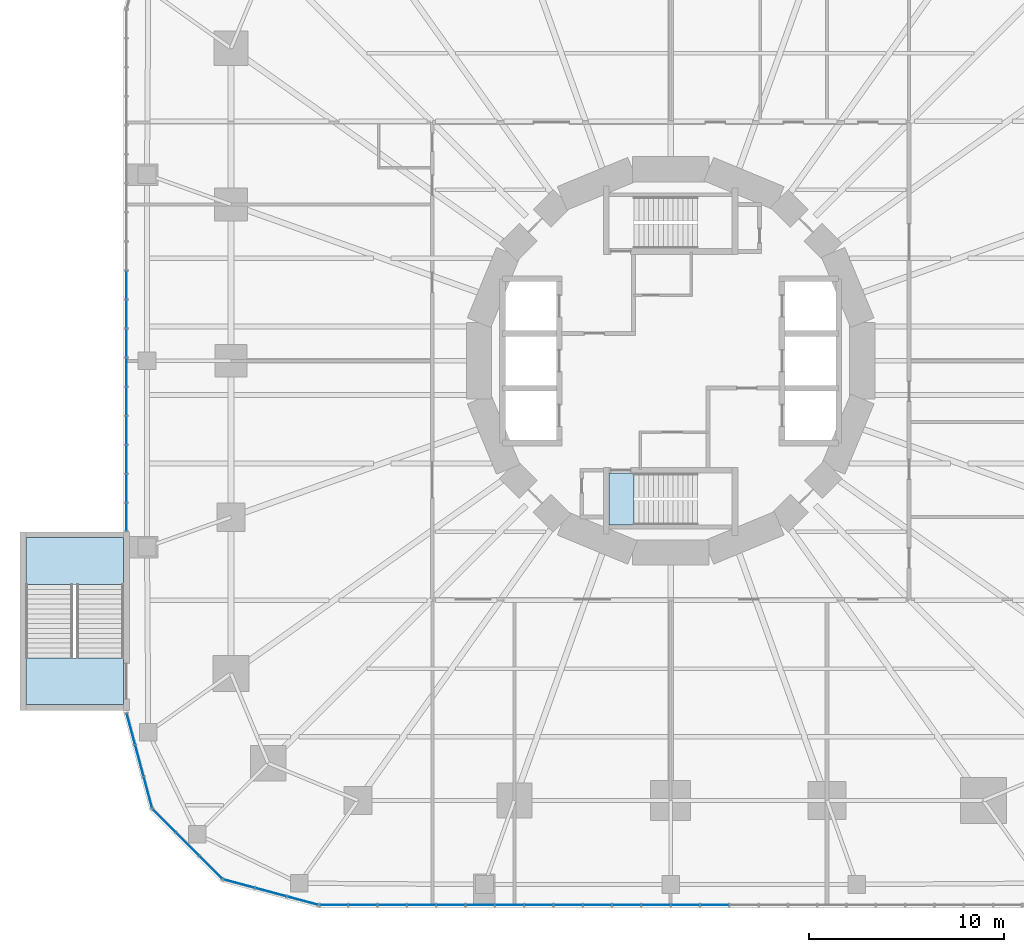
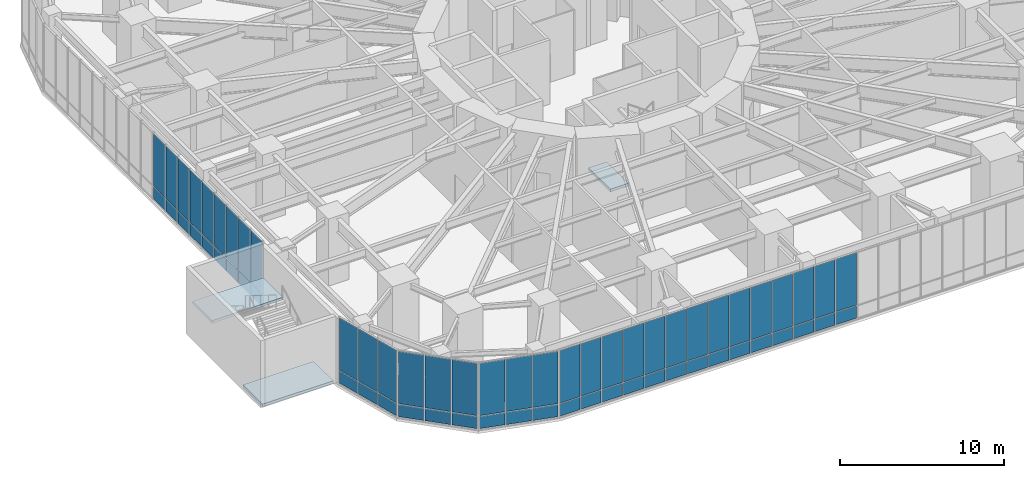
# One storey, part 16 of 24: 64 plates, 3 slabs, 7 elements without a shape of their own.
"""IFC4 building model written with IfcOpenShell, lengths in metres."""

from ifc_helpers import new_model, si_unit, direction, frame, origin, origin_2d, place, context, subcontext, project, spatial, polyline, rectangle, outline, extrude, material, layer, layer_set, type_object, element, aggregate, save


model = new_model("IFC4")

# Units and contexts
model_context = context("Model", 3, precision=1e-05, world=origin(), true_north=direction((0.0, 1.0)))
body_context = subcontext(model_context, "Body", "Model", "MODEL_VIEW")
ifc_project = project(units=[si_unit("LENGTHUNIT", "METRE"), si_unit("AREAUNIT", "SQUARE_METRE"), si_unit("VOLUMEUNIT", "CUBIC_METRE"), si_unit("PLANEANGLEUNIT", "RADIAN"), si_unit("MASSUNIT", "GRAM", prefix="KILO")], contexts=[model_context])

# Site, building, storey
site_placement = place(None, origin())
site = spatial("IfcSite", under=ifc_project, at=site_placement, CompositionType="ELEMENT")
building_placement = place(site_placement, origin())
building = spatial("IfcBuilding", under=site, at=building_placement, Name="Nakasero Lantern House", CompositionType="ELEMENT")
storey_placement = place(building_placement, frame((0.0, 0.0, 6.0)))
storey = spatial("IfcBuildingStorey", under=building, at=storey_placement, Name="L01", CompositionType="ELEMENT", Elevation=6.0)

# Curtain wall, plates
ifc_material_1 = material(Name="Aluminium 6063-T6 and glass", Category="aluminium")
curtain_wall_type = type_object("IfcCurtainWallType", Name="Podium curtain wall CW-2", PredefinedType="USERDEFINED", material=ifc_material_1)
curtain_wall_1_placement = place(storey_placement, origin())
curtain_wall_1 = element("IfcCurtainWall", 1, at=curtain_wall_1_placement, inside=storey, type_object=curtain_wall_type, Name="Curtain wall CW-2 L01", ObjectType="STICK CURTAIN WALL", PredefinedType="USERDEFINED")
ifc_material_2 = material(Name="Glass", Category="glass")
ifc_layer_1 = layer(ifc_material_2, 0.028076171875)
ifc_layer_set_1 = layer_set([ifc_layer_1], Name="Glazed panel CW-2")
plate_type = type_object("IfcPlateType", Name="Glazed panel CW-2", PredefinedType="CURTAIN_PANEL", material=ifc_layer_set_1)
plate_1_placement = place(storey_placement, frame((-27.85009765625, 3.8818359375, 0.06005859375), z_axis=(0.0, 0.0, 1.0), x_axis=(0.0, -1.0, 0.0)))
plate_1 = element("IfcPlate", 2, at=plate_1_placement, type_object=plate_type, Name="CW-2 panel 10.1", PredefinedType="CURTAIN_PANEL", context=body_context, shape_type="SweptSolid", body=[
    extrude(rectangle(XDim=1.426025390625, YDim=0.028076171875, at=origin_2d()), origin(), (0.0, 0.0, 1.0), 0.909912109375),
])
plate_2_placement = place(storey_placement, frame((-27.85009765625, 3.8818359375, 1.0302734375), z_axis=(0.0, 0.0, 1.0), x_axis=(0.0, -1.0, 0.0)))
plate_2 = element("IfcPlate", 3, at=plate_2_placement, type_object=plate_type, Name="CW-2 panel 10.2", PredefinedType="CURTAIN_PANEL", context=body_context, shape_type="SweptSolid", body=[
    extrude(rectangle(XDim=1.426025390625, YDim=0.028076171875, at=origin_2d()), origin(), (0.0, 0.0, 1.0), 3.909912109375),
])
plate_3_placement = place(storey_placement, frame((-27.85009765625, 2.395751953125, 0.06005859375), z_axis=(0.0, 0.0, 1.0), x_axis=(0.0, -1.0, 0.0)))
plate_3 = element("IfcPlate", 4, at=plate_3_placement, type_object=plate_type, Name="CW-2 panel 11.1", PredefinedType="CURTAIN_PANEL", context=body_context, shape_type="SweptSolid", body=[
    extrude(rectangle(XDim=1.426025390625, YDim=0.028076171875, at=origin_2d()), origin(), (0.0, 0.0, 1.0), 0.909912109375),
])
plate_4_placement = place(storey_placement, frame((-27.85009765625, 2.395751953125, 1.0302734375), z_axis=(0.0, 0.0, 1.0), x_axis=(0.0, -1.0, 0.0)))
plate_4 = element("IfcPlate", 5, at=plate_4_placement, type_object=plate_type, Name="CW-2 panel 11.2", PredefinedType="CURTAIN_PANEL", context=body_context, shape_type="SweptSolid", body=[
    extrude(rectangle(XDim=1.426025390625, YDim=0.028076171875, at=origin_2d()), origin(), (0.0, 0.0, 1.0), 3.909912109375),
])
plate_5_placement = place(storey_placement, frame((-27.85009765625, 0.90966796875, 0.06005859375), z_axis=(0.0, 0.0, 1.0), x_axis=(0.0, -1.0, 0.0)))
plate_5 = element("IfcPlate", 6, at=plate_5_placement, type_object=plate_type, Name="CW-2 panel 12.1", PredefinedType="CURTAIN_PANEL", context=body_context, shape_type="SweptSolid", body=[
    extrude(rectangle(XDim=1.426025390625, YDim=0.028076171875, at=origin_2d()), origin(), (0.0, 0.0, 1.0), 0.909912109375),
])
plate_6_placement = place(storey_placement, frame((-27.85009765625, 0.90966796875, 1.0302734375), z_axis=(0.0, 0.0, 1.0), x_axis=(0.0, -1.0, 0.0)))
plate_6 = element("IfcPlate", 7, at=plate_6_placement, type_object=plate_type, Name="CW-2 panel 12.2", PredefinedType="CURTAIN_PANEL", context=body_context, shape_type="SweptSolid", body=[
    extrude(rectangle(XDim=1.426025390625, YDim=0.028076171875, at=origin_2d()), origin(), (0.0, 0.0, 1.0), 3.909912109375),
])
plate_7_placement = place(storey_placement, frame((-27.85009765625, -0.576416015625, 0.06005859375), z_axis=(0.0, 0.0, 1.0), x_axis=(0.0, -1.0, 0.0)))
plate_7 = element("IfcPlate", 8, at=plate_7_placement, type_object=plate_type, Name="CW-2 panel 13.1", PredefinedType="CURTAIN_PANEL", context=body_context, shape_type="SweptSolid", body=[
    extrude(rectangle(XDim=1.426025390625, YDim=0.028076171875, at=origin_2d()), origin(), (0.0, 0.0, 1.0), 0.909912109375),
])
plate_8_placement = place(storey_placement, frame((-27.85009765625, -0.576416015625, 1.0302734375), z_axis=(0.0, 0.0, 1.0), x_axis=(0.0, -1.0, 0.0)))
plate_8 = element("IfcPlate", 9, at=plate_8_placement, type_object=plate_type, Name="CW-2 panel 13.2", PredefinedType="CURTAIN_PANEL", context=body_context, shape_type="SweptSolid", body=[
    extrude(rectangle(XDim=1.426025390625, YDim=0.028076171875, at=origin_2d()), origin(), (0.0, 0.0, 1.0), 3.909912109375),
])
plate_9_placement = place(storey_placement, frame((-27.85009765625, -2.0625, 0.06005859375), z_axis=(0.0, 0.0, 1.0), x_axis=(0.0, -1.0, 0.0)))
plate_9 = element("IfcPlate", 10, at=plate_9_placement, type_object=plate_type, Name="CW-2 panel 14.1", PredefinedType="CURTAIN_PANEL", context=body_context, shape_type="SweptSolid", body=[
    extrude(rectangle(XDim=1.426025390625, YDim=0.028076171875, at=origin_2d()), origin(), (0.0, 0.0, 1.0), 0.909912109375),
])
plate_10_placement = place(storey_placement, frame((-27.85009765625, -2.0625, 1.0302734375), z_axis=(0.0, 0.0, 1.0), x_axis=(0.0, -1.0, 0.0)))
plate_10 = element("IfcPlate", 11, at=plate_10_placement, type_object=plate_type, Name="CW-2 panel 14.2", PredefinedType="CURTAIN_PANEL", context=body_context, shape_type="SweptSolid", body=[
    extrude(rectangle(XDim=1.426025390625, YDim=0.028076171875, at=origin_2d()), origin(), (0.0, 0.0, 1.0), 3.909912109375),
])
plate_11_placement = place(storey_placement, frame((-27.85009765625, -3.548583984375, 0.06005859375), z_axis=(0.0, 0.0, 1.0), x_axis=(0.0, -1.0, 0.0)))
plate_11 = element("IfcPlate", 12, at=plate_11_placement, type_object=plate_type, Name="CW-2 panel 15.1", PredefinedType="CURTAIN_PANEL", context=body_context, shape_type="SweptSolid", body=[
    extrude(rectangle(XDim=1.426025390625, YDim=0.028076171875, at=origin_2d()), origin(), (0.0, 0.0, 1.0), 0.909912109375),
])
plate_12_placement = place(storey_placement, frame((-27.85009765625, -3.548583984375, 1.0302734375), z_axis=(0.0, 0.0, 1.0), x_axis=(0.0, -1.0, 0.0)))
plate_12 = element("IfcPlate", 13, at=plate_12_placement, type_object=plate_type, Name="CW-2 panel 15.2", PredefinedType="CURTAIN_PANEL", context=body_context, shape_type="SweptSolid", body=[
    extrude(rectangle(XDim=1.426025390625, YDim=0.028076171875, at=origin_2d()), origin(), (0.0, 0.0, 1.0), 3.909912109375),
])
plate_13_placement = place(storey_placement, frame((-27.85009765625, -5.03466796875, 0.06005859375), z_axis=(0.0, 0.0, 1.0), x_axis=(0.0, -1.0, 0.0)))
plate_13 = element("IfcPlate", 14, at=plate_13_placement, type_object=plate_type, Name="CW-2 panel 16.1", PredefinedType="CURTAIN_PANEL", context=body_context, shape_type="SweptSolid", body=[
    extrude(rectangle(XDim=1.426025390625, YDim=0.028076171875, at=origin_2d()), origin(), (0.0, 0.0, 1.0), 0.909912109375),
])
plate_14_placement = place(storey_placement, frame((-27.85009765625, -5.03466796875, 1.0302734375), z_axis=(0.0, 0.0, 1.0), x_axis=(0.0, -1.0, 0.0)))
plate_14 = element("IfcPlate", 15, at=plate_14_placement, type_object=plate_type, Name="CW-2 panel 16.2", PredefinedType="CURTAIN_PANEL", context=body_context, shape_type="SweptSolid", body=[
    extrude(rectangle(XDim=1.426025390625, YDim=0.028076171875, at=origin_2d()), origin(), (0.0, 0.0, 1.0), 3.909912109375),
])
plate_15_placement = place(storey_placement, frame((-27.85009765625, -6.520751953125, 0.06005859375), z_axis=(0.0, 0.0, 1.0), x_axis=(0.0, -1.0, 0.0)))
plate_15 = element("IfcPlate", 16, at=plate_15_placement, type_object=plate_type, Name="CW-2 panel 17.1", PredefinedType="CURTAIN_PANEL", context=body_context, shape_type="SweptSolid", body=[
    extrude(rectangle(XDim=1.426025390625, YDim=0.028076171875, at=origin_2d()), origin(), (0.0, 0.0, 1.0), 0.909912109375),
])
plate_16_placement = place(storey_placement, frame((-27.85009765625, -6.520751953125, 1.0302734375), z_axis=(0.0, 0.0, 1.0), x_axis=(0.0, -1.0, 0.0)))
plate_16 = element("IfcPlate", 17, at=plate_16_placement, type_object=plate_type, Name="CW-2 panel 17.2", PredefinedType="CURTAIN_PANEL", context=body_context, shape_type="SweptSolid", body=[
    extrude(rectangle(XDim=1.426025390625, YDim=0.028076171875, at=origin_2d()), origin(), (0.0, 0.0, 1.0), 3.909912109375),
])
plate_17_placement = place(storey_placement, frame((-27.85009765625, -7.991943359375, 0.06005859375), z_axis=(0.0, 0.0, 1.0), x_axis=(0.0, -1.0, 0.0)))
plate_17 = element("IfcPlate", 18, at=plate_17_placement, type_object=plate_type, Name="CW-2 panel 18.1", PredefinedType="CURTAIN_PANEL", context=body_context, shape_type="SweptSolid", body=[
    extrude(rectangle(XDim=1.39599609375, YDim=0.028076171875, at=origin_2d()), origin(), (0.0, 0.0, 1.0), 0.909912109375),
])
plate_18_placement = place(storey_placement, frame((-27.85009765625, -7.991943359375, 1.0302734375), z_axis=(0.0, 0.0, 1.0), x_axis=(0.0, -1.0, 0.0)))
plate_18 = element("IfcPlate", 19, at=plate_18_placement, type_object=plate_type, Name="CW-2 panel 18.2", PredefinedType="CURTAIN_PANEL", context=body_context, shape_type="SweptSolid", body=[
    extrude(rectangle(XDim=1.39599609375, YDim=0.028076171875, at=origin_2d()), origin(), (0.0, 0.0, 1.0), 3.909912109375),
])
aggregate(curtain_wall_1, [plate_1, plate_2, plate_3, plate_4, plate_5, plate_6, plate_7, plate_8, plate_9, plate_10, plate_11, plate_12, plate_13, plate_14, plate_15, plate_16, plate_17, plate_18])

curtain_wall_2_placement = place(storey_placement, origin())
curtain_wall_2 = element("IfcCurtainWall", 20, at=curtain_wall_2_placement, inside=storey, type_object=curtain_wall_type, Name="Curtain wall CW-2 L01", ObjectType="STICK CURTAIN WALL", PredefinedType="USERDEFINED")
plate_19_placement = place(storey_placement, frame((-27.626220703125, -18.835205078125, 0.06005859375), z_axis=(0.0, 0.0, 1.0), x_axis=(0.258819045153, -0.965925826276, 0.0)))
plate_19 = element("IfcPlate", 21, at=plate_19_placement, type_object=plate_type, Name="CW-2 panel 1.1", PredefinedType="CURTAIN_PANEL", context=body_context, shape_type="SweptSolid", body=[
    extrude(rectangle(XDim=1.609619140625, YDim=0.028076171875, at=origin_2d()), origin(), (0.0, 0.0, 1.0), 0.909912109375),
])
plate_20_placement = place(storey_placement, frame((-27.626220703125, -18.835205078125, 1.0302734375), z_axis=(0.0, 0.0, 1.0), x_axis=(0.258819045153, -0.965925826276, 0.0)))
plate_20 = element("IfcPlate", 22, at=plate_20_placement, type_object=plate_type, Name="CW-2 panel 1.2", PredefinedType="CURTAIN_PANEL", context=body_context, shape_type="SweptSolid", body=[
    extrude(rectangle(XDim=1.609619140625, YDim=0.028076171875, at=origin_2d()), origin(), (0.0, 0.0, 1.0), 3.909912109375),
])
plate_21_placement = place(storey_placement, frame((-27.190185546875, -20.46240234375, 0.06005859375), z_axis=(0.0, 0.0, 1.0), x_axis=(0.258819045153, -0.965925826276, 0.0)))
plate_21 = element("IfcPlate", 23, at=plate_21_placement, type_object=plate_type, Name="CW-2 panel 2.1", PredefinedType="CURTAIN_PANEL", context=body_context, shape_type="SweptSolid", body=[
    extrude(rectangle(XDim=1.6396484375, YDim=0.028076171875, at=origin_2d()), origin(), (0.0, 0.0, 1.0), 0.909912109375),
])
plate_22_placement = place(storey_placement, frame((-27.190185546875, -20.46240234375, 1.0302734375), z_axis=(0.0, 0.0, 1.0), x_axis=(0.258819045153, -0.965925826276, 0.0)))
plate_22 = element("IfcPlate", 24, at=plate_22_placement, type_object=plate_type, Name="CW-2 panel 2.2", PredefinedType="CURTAIN_PANEL", context=body_context, shape_type="SweptSolid", body=[
    extrude(rectangle(XDim=1.6396484375, YDim=0.028076171875, at=origin_2d()), origin(), (0.0, 0.0, 1.0), 3.909912109375),
])
plate_23_placement = place(storey_placement, frame((-26.754150390625, -22.089599609375, 0.06005859375), z_axis=(0.0, 0.0, 1.0), x_axis=(0.258819045153, -0.965925826276, 0.0)))
plate_23 = element("IfcPlate", 25, at=plate_23_placement, type_object=plate_type, Name="CW-2 panel 3.1", PredefinedType="CURTAIN_PANEL", context=body_context, shape_type="SweptSolid", body=[
    extrude(rectangle(XDim=1.609619140625, YDim=0.028076171875, at=origin_2d()), origin(), (0.0, 0.0, 1.0), 0.909912109375),
])
plate_24_placement = place(storey_placement, frame((-26.754150390625, -22.089599609375, 1.0302734375), z_axis=(0.0, 0.0, 1.0), x_axis=(0.258819045153, -0.965925826276, 0.0)))
plate_24 = element("IfcPlate", 26, at=plate_24_placement, type_object=plate_type, Name="CW-2 panel 3.2", PredefinedType="CURTAIN_PANEL", context=body_context, shape_type="SweptSolid", body=[
    extrude(rectangle(XDim=1.609619140625, YDim=0.028076171875, at=origin_2d()), origin(), (0.0, 0.0, 1.0), 3.909912109375),
])
aggregate(curtain_wall_2, [plate_19, plate_20, plate_21, plate_22, plate_23, plate_24])

curtain_wall_3_placement = place(storey_placement, origin())
curtain_wall_3 = element("IfcCurtainWall", 27, at=curtain_wall_3_placement, inside=storey, type_object=curtain_wall_type, Name="Curtain wall CW-2 L01", ObjectType="STICK CURTAIN WALL", PredefinedType="USERDEFINED")
plate_25_placement = place(storey_placement, frame((-25.9189453125, -23.536376953125, 0.06005859375), z_axis=(0.0, 0.0, 1.0), x_axis=(0.707106781187, -0.707106781187, 0.0)))
plate_25 = element("IfcPlate", 28, at=plate_25_placement, type_object=plate_type, Name="CW-2 panel 1.1", PredefinedType="CURTAIN_PANEL", context=body_context, shape_type="SweptSolid", body=[
    extrude(rectangle(XDim=1.609619140625, YDim=0.028076171875, at=origin_2d()), origin(), (0.0, 0.0, 1.0), 0.909912109375),
])
plate_26_placement = place(storey_placement, frame((-25.9189453125, -23.536376953125, 1.0302734375), z_axis=(0.0, 0.0, 1.0), x_axis=(0.707106781187, -0.707106781187, 0.0)))
plate_26 = element("IfcPlate", 29, at=plate_26_placement, type_object=plate_type, Name="CW-2 panel 1.2", PredefinedType="CURTAIN_PANEL", context=body_context, shape_type="SweptSolid", body=[
    extrude(rectangle(XDim=1.609619140625, YDim=0.028076171875, at=origin_2d()), origin(), (0.0, 0.0, 1.0), 3.909912109375),
])
plate_27_placement = place(storey_placement, frame((-24.727783203125, -24.727783203125, 0.06005859375), z_axis=(0.0, 0.0, 1.0), x_axis=(0.707106781187, -0.707106781187, 0.0)))
plate_27 = element("IfcPlate", 30, at=plate_27_placement, type_object=plate_type, Name="CW-2 panel 2.1", PredefinedType="CURTAIN_PANEL", context=body_context, shape_type="SweptSolid", body=[
    extrude(rectangle(XDim=1.6396484375, YDim=0.028076171875, at=origin_2d()), origin(), (0.0, 0.0, 1.0), 0.909912109375),
])
plate_28_placement = place(storey_placement, frame((-24.727783203125, -24.727783203125, 1.0302734375), z_axis=(0.0, 0.0, 1.0), x_axis=(0.707106781187, -0.707106781187, 0.0)))
plate_28 = element("IfcPlate", 31, at=plate_28_placement, type_object=plate_type, Name="CW-2 panel 2.2", PredefinedType="CURTAIN_PANEL", context=body_context, shape_type="SweptSolid", body=[
    extrude(rectangle(XDim=1.6396484375, YDim=0.028076171875, at=origin_2d()), origin(), (0.0, 0.0, 1.0), 3.909912109375),
])
plate_29_placement = place(storey_placement, frame((-23.536376953125, -25.9189453125, 0.06005859375), z_axis=(0.0, 0.0, 1.0), x_axis=(0.707106781187, -0.707106781187, 0.0)))
plate_29 = element("IfcPlate", 32, at=plate_29_placement, type_object=plate_type, Name="CW-2 panel 3.1", PredefinedType="CURTAIN_PANEL", context=body_context, shape_type="SweptSolid", body=[
    extrude(rectangle(XDim=1.609619140625, YDim=0.028076171875, at=origin_2d()), origin(), (0.0, 0.0, 1.0), 0.909912109375),
])
plate_30_placement = place(storey_placement, frame((-23.536376953125, -25.9189453125, 1.0302734375), z_axis=(0.0, 0.0, 1.0), x_axis=(0.707106781187, -0.707106781187, 0.0)))
plate_30 = element("IfcPlate", 33, at=plate_30_placement, type_object=plate_type, Name="CW-2 panel 3.2", PredefinedType="CURTAIN_PANEL", context=body_context, shape_type="SweptSolid", body=[
    extrude(rectangle(XDim=1.609619140625, YDim=0.028076171875, at=origin_2d()), origin(), (0.0, 0.0, 1.0), 3.909912109375),
])
aggregate(curtain_wall_3, [plate_25, plate_26, plate_27, plate_28, plate_29, plate_30])

curtain_wall_4_placement = place(storey_placement, origin())
curtain_wall_4 = element("IfcCurtainWall", 34, at=curtain_wall_4_placement, inside=storey, type_object=curtain_wall_type, Name="Curtain wall CW-2 L01", ObjectType="STICK CURTAIN WALL", PredefinedType="USERDEFINED")
plate_31_placement = place(storey_placement, frame((-22.089599609375, -26.754150390625, 0.06005859375), z_axis=(0.0, 0.0, 1.0), x_axis=(0.965925826276, -0.258819045153, 0.0)))
plate_31 = element("IfcPlate", 35, at=plate_31_placement, type_object=plate_type, Name="CW-2 panel 1.1", PredefinedType="CURTAIN_PANEL", context=body_context, shape_type="SweptSolid", body=[
    extrude(rectangle(XDim=1.609619140625, YDim=0.028076171875, at=origin_2d()), origin(), (0.0, 0.0, 1.0), 0.909912109375),
])
plate_32_placement = place(storey_placement, frame((-22.089599609375, -26.754150390625, 1.0302734375), z_axis=(0.0, 0.0, 1.0), x_axis=(0.965925826276, -0.258819045153, 0.0)))
plate_32 = element("IfcPlate", 36, at=plate_32_placement, type_object=plate_type, Name="CW-2 panel 1.2", PredefinedType="CURTAIN_PANEL", context=body_context, shape_type="SweptSolid", body=[
    extrude(rectangle(XDim=1.609619140625, YDim=0.028076171875, at=origin_2d()), origin(), (0.0, 0.0, 1.0), 3.909912109375),
])
plate_33_placement = place(storey_placement, frame((-20.46240234375, -27.190185546875, 0.06005859375), z_axis=(0.0, 0.0, 1.0), x_axis=(0.965925826276, -0.258819045153, 0.0)))
plate_33 = element("IfcPlate", 37, at=plate_33_placement, type_object=plate_type, Name="CW-2 panel 2.1", PredefinedType="CURTAIN_PANEL", context=body_context, shape_type="SweptSolid", body=[
    extrude(rectangle(XDim=1.6396484375, YDim=0.028076171875, at=origin_2d()), origin(), (0.0, 0.0, 1.0), 0.909912109375),
])
plate_34_placement = place(storey_placement, frame((-20.46240234375, -27.190185546875, 1.0302734375), z_axis=(0.0, 0.0, 1.0), x_axis=(0.965925826276, -0.258819045153, 0.0)))
plate_34 = element("IfcPlate", 38, at=plate_34_placement, type_object=plate_type, Name="CW-2 panel 2.2", PredefinedType="CURTAIN_PANEL", context=body_context, shape_type="SweptSolid", body=[
    extrude(rectangle(XDim=1.6396484375, YDim=0.028076171875, at=origin_2d()), origin(), (0.0, 0.0, 1.0), 3.909912109375),
])
plate_35_placement = place(storey_placement, frame((-18.835205078125, -27.626220703125, 0.06005859375), z_axis=(0.0, 0.0, 1.0), x_axis=(0.965925826276, -0.258819045153, 0.0)))
plate_35 = element("IfcPlate", 39, at=plate_35_placement, type_object=plate_type, Name="CW-2 panel 3.1", PredefinedType="CURTAIN_PANEL", context=body_context, shape_type="SweptSolid", body=[
    extrude(rectangle(XDim=1.609619140625, YDim=0.028076171875, at=origin_2d()), origin(), (0.0, 0.0, 1.0), 0.909912109375),
])
plate_36_placement = place(storey_placement, frame((-18.835205078125, -27.626220703125, 1.0302734375), z_axis=(0.0, 0.0, 1.0), x_axis=(0.965925826276, -0.258819045153, 0.0)))
plate_36 = element("IfcPlate", 40, at=plate_36_placement, type_object=plate_type, Name="CW-2 panel 3.2", PredefinedType="CURTAIN_PANEL", context=body_context, shape_type="SweptSolid", body=[
    extrude(rectangle(XDim=1.609619140625, YDim=0.028076171875, at=origin_2d()), origin(), (0.0, 0.0, 1.0), 3.909912109375),
])
aggregate(curtain_wall_4, [plate_31, plate_32, plate_33, plate_34, plate_35, plate_36])

curtain_wall_5_placement = place(storey_placement, origin())
curtain_wall_5 = element("IfcCurtainWall", 41, at=curtain_wall_5_placement, inside=storey, type_object=curtain_wall_type, Name="Curtain wall CW-2 L01", ObjectType="STICK CURTAIN WALL", PredefinedType="USERDEFINED")
plate_37_placement = place(storey_placement, frame((-17.235107421875, -27.85009765625, 0.06005859375), z_axis=(0.0, 0.0, 1.0), x_axis=(1.0, 0.0, 0.0)))
plate_37 = element("IfcPlate", 42, at=plate_37_placement, type_object=plate_type, Name="CW-2 panel 1.1", PredefinedType="CURTAIN_PANEL", context=body_context, shape_type="SweptSolid", body=[
    extrude(rectangle(XDim=1.409912109375, YDim=0.028076171875, at=origin_2d()), origin(), (0.0, 0.0, 1.0), 0.909912109375),
])
plate_38_placement = place(storey_placement, frame((-17.235107421875, -27.85009765625, 1.0302734375), z_axis=(0.0, 0.0, 1.0), x_axis=(1.0, 0.0, 0.0)))
plate_38 = element("IfcPlate", 43, at=plate_38_placement, type_object=plate_type, Name="CW-2 panel 1.2", PredefinedType="CURTAIN_PANEL", context=body_context, shape_type="SweptSolid", body=[
    extrude(rectangle(XDim=1.409912109375, YDim=0.028076171875, at=origin_2d()), origin(), (0.0, 0.0, 1.0), 3.909912109375),
])
plate_39_placement = place(storey_placement, frame((-15.75, -27.85009765625, 0.06005859375), z_axis=(0.0, 0.0, 1.0), x_axis=(1.0, 0.0, 0.0)))
plate_39 = element("IfcPlate", 44, at=plate_39_placement, type_object=plate_type, Name="CW-2 panel 2.1", PredefinedType="CURTAIN_PANEL", context=body_context, shape_type="SweptSolid", body=[
    extrude(rectangle(XDim=1.43994140625, YDim=0.028076171875, at=origin_2d()), origin(), (0.0, 0.0, 1.0), 0.909912109375),
])
plate_40_placement = place(storey_placement, frame((-15.75, -27.85009765625, 1.0302734375), z_axis=(0.0, 0.0, 1.0), x_axis=(1.0, 0.0, 0.0)))
plate_40 = element("IfcPlate", 45, at=plate_40_placement, type_object=plate_type, Name="CW-2 panel 2.2", PredefinedType="CURTAIN_PANEL", context=body_context, shape_type="SweptSolid", body=[
    extrude(rectangle(XDim=1.43994140625, YDim=0.028076171875, at=origin_2d()), origin(), (0.0, 0.0, 1.0), 3.909912109375),
])
plate_41_placement = place(storey_placement, frame((-14.25, -27.85009765625, 0.06005859375), z_axis=(0.0, 0.0, 1.0), x_axis=(1.0, 0.0, 0.0)))
plate_41 = element("IfcPlate", 46, at=plate_41_placement, type_object=plate_type, Name="CW-2 panel 3.1", PredefinedType="CURTAIN_PANEL", context=body_context, shape_type="SweptSolid", body=[
    extrude(rectangle(XDim=1.43994140625, YDim=0.028076171875, at=origin_2d()), origin(), (0.0, 0.0, 1.0), 0.909912109375),
])
plate_42_placement = place(storey_placement, frame((-14.25, -27.85009765625, 1.0302734375), z_axis=(0.0, 0.0, 1.0), x_axis=(1.0, 0.0, 0.0)))
plate_42 = element("IfcPlate", 47, at=plate_42_placement, type_object=plate_type, Name="CW-2 panel 3.2", PredefinedType="CURTAIN_PANEL", context=body_context, shape_type="SweptSolid", body=[
    extrude(rectangle(XDim=1.43994140625, YDim=0.028076171875, at=origin_2d()), origin(), (0.0, 0.0, 1.0), 3.909912109375),
])
plate_43_placement = place(storey_placement, frame((-12.75, -27.85009765625, 0.06005859375), z_axis=(0.0, 0.0, 1.0), x_axis=(1.0, 0.0, 0.0)))
plate_43 = element("IfcPlate", 48, at=plate_43_placement, type_object=plate_type, Name="CW-2 panel 4.1", PredefinedType="CURTAIN_PANEL", context=body_context, shape_type="SweptSolid", body=[
    extrude(rectangle(XDim=1.43994140625, YDim=0.028076171875, at=origin_2d()), origin(), (0.0, 0.0, 1.0), 0.909912109375),
])
plate_44_placement = place(storey_placement, frame((-12.75, -27.85009765625, 1.0302734375), z_axis=(0.0, 0.0, 1.0), x_axis=(1.0, 0.0, 0.0)))
plate_44 = element("IfcPlate", 49, at=plate_44_placement, type_object=plate_type, Name="CW-2 panel 4.2", PredefinedType="CURTAIN_PANEL", context=body_context, shape_type="SweptSolid", body=[
    extrude(rectangle(XDim=1.43994140625, YDim=0.028076171875, at=origin_2d()), origin(), (0.0, 0.0, 1.0), 3.909912109375),
])
plate_45_placement = place(storey_placement, frame((-11.25, -27.85009765625, 0.06005859375), z_axis=(0.0, 0.0, 1.0), x_axis=(1.0, 0.0, 0.0)))
plate_45 = element("IfcPlate", 50, at=plate_45_placement, type_object=plate_type, Name="CW-2 panel 5.1", PredefinedType="CURTAIN_PANEL", context=body_context, shape_type="SweptSolid", body=[
    extrude(rectangle(XDim=1.43994140625, YDim=0.028076171875, at=origin_2d()), origin(), (0.0, 0.0, 1.0), 0.909912109375),
])
plate_46_placement = place(storey_placement, frame((-11.25, -27.85009765625, 1.0302734375), z_axis=(0.0, 0.0, 1.0), x_axis=(1.0, 0.0, 0.0)))
plate_46 = element("IfcPlate", 51, at=plate_46_placement, type_object=plate_type, Name="CW-2 panel 5.2", PredefinedType="CURTAIN_PANEL", context=body_context, shape_type="SweptSolid", body=[
    extrude(rectangle(XDim=1.43994140625, YDim=0.028076171875, at=origin_2d()), origin(), (0.0, 0.0, 1.0), 3.909912109375),
])
plate_47_placement = place(storey_placement, frame((-9.75, -27.85009765625, 0.06005859375), z_axis=(0.0, 0.0, 1.0), x_axis=(1.0, 0.0, 0.0)))
plate_47 = element("IfcPlate", 52, at=plate_47_placement, type_object=plate_type, Name="CW-2 panel 6.1", PredefinedType="CURTAIN_PANEL", context=body_context, shape_type="SweptSolid", body=[
    extrude(rectangle(XDim=1.43994140625, YDim=0.028076171875, at=origin_2d()), origin(), (0.0, 0.0, 1.0), 0.909912109375),
])
plate_48_placement = place(storey_placement, frame((-9.75, -27.85009765625, 1.0302734375), z_axis=(0.0, 0.0, 1.0), x_axis=(1.0, 0.0, 0.0)))
plate_48 = element("IfcPlate", 53, at=plate_48_placement, type_object=plate_type, Name="CW-2 panel 6.2", PredefinedType="CURTAIN_PANEL", context=body_context, shape_type="SweptSolid", body=[
    extrude(rectangle(XDim=1.43994140625, YDim=0.028076171875, at=origin_2d()), origin(), (0.0, 0.0, 1.0), 3.909912109375),
])
plate_49_placement = place(storey_placement, frame((-8.25, -27.85009765625, 0.06005859375), z_axis=(0.0, 0.0, 1.0), x_axis=(1.0, 0.0, 0.0)))
plate_49 = element("IfcPlate", 54, at=plate_49_placement, type_object=plate_type, Name="CW-2 panel 7.1", PredefinedType="CURTAIN_PANEL", context=body_context, shape_type="SweptSolid", body=[
    extrude(rectangle(XDim=1.43994140625, YDim=0.028076171875, at=origin_2d()), origin(), (0.0, 0.0, 1.0), 0.909912109375),
])
plate_50_placement = place(storey_placement, frame((-8.25, -27.85009765625, 1.0302734375), z_axis=(0.0, 0.0, 1.0), x_axis=(1.0, 0.0, 0.0)))
plate_50 = element("IfcPlate", 55, at=plate_50_placement, type_object=plate_type, Name="CW-2 panel 7.2", PredefinedType="CURTAIN_PANEL", context=body_context, shape_type="SweptSolid", body=[
    extrude(rectangle(XDim=1.43994140625, YDim=0.028076171875, at=origin_2d()), origin(), (0.0, 0.0, 1.0), 3.909912109375),
])
plate_51_placement = place(storey_placement, frame((-6.75, -27.85009765625, 0.06005859375), z_axis=(0.0, 0.0, 1.0), x_axis=(1.0, 0.0, 0.0)))
plate_51 = element("IfcPlate", 56, at=plate_51_placement, type_object=plate_type, Name="CW-2 panel 8.1", PredefinedType="CURTAIN_PANEL", context=body_context, shape_type="SweptSolid", body=[
    extrude(rectangle(XDim=1.43994140625, YDim=0.028076171875, at=origin_2d()), origin(), (0.0, 0.0, 1.0), 0.909912109375),
])
plate_52_placement = place(storey_placement, frame((-6.75, -27.85009765625, 1.0302734375), z_axis=(0.0, 0.0, 1.0), x_axis=(1.0, 0.0, 0.0)))
plate_52 = element("IfcPlate", 57, at=plate_52_placement, type_object=plate_type, Name="CW-2 panel 8.2", PredefinedType="CURTAIN_PANEL", context=body_context, shape_type="SweptSolid", body=[
    extrude(rectangle(XDim=1.43994140625, YDim=0.028076171875, at=origin_2d()), origin(), (0.0, 0.0, 1.0), 3.909912109375),
])
plate_53_placement = place(storey_placement, frame((-5.25, -27.85009765625, 0.06005859375), z_axis=(0.0, 0.0, 1.0), x_axis=(1.0, 0.0, 0.0)))
plate_53 = element("IfcPlate", 58, at=plate_53_placement, type_object=plate_type, Name="CW-2 panel 9.1", PredefinedType="CURTAIN_PANEL", context=body_context, shape_type="SweptSolid", body=[
    extrude(rectangle(XDim=1.43994140625, YDim=0.028076171875, at=origin_2d()), origin(), (0.0, 0.0, 1.0), 0.909912109375),
])
plate_54_placement = place(storey_placement, frame((-5.25, -27.85009765625, 1.0302734375), z_axis=(0.0, 0.0, 1.0), x_axis=(1.0, 0.0, 0.0)))
plate_54 = element("IfcPlate", 59, at=plate_54_placement, type_object=plate_type, Name="CW-2 panel 9.2", PredefinedType="CURTAIN_PANEL", context=body_context, shape_type="SweptSolid", body=[
    extrude(rectangle(XDim=1.43994140625, YDim=0.028076171875, at=origin_2d()), origin(), (0.0, 0.0, 1.0), 3.909912109375),
])
plate_55_placement = place(storey_placement, frame((-3.75, -27.85009765625, 0.06005859375), z_axis=(0.0, 0.0, 1.0), x_axis=(1.0, 0.0, 0.0)))
plate_55 = element("IfcPlate", 60, at=plate_55_placement, type_object=plate_type, Name="CW-2 panel 10.1", PredefinedType="CURTAIN_PANEL", context=body_context, shape_type="SweptSolid", body=[
    extrude(rectangle(XDim=1.43994140625, YDim=0.028076171875, at=origin_2d()), origin(), (0.0, 0.0, 1.0), 0.909912109375),
])
plate_56_placement = place(storey_placement, frame((-3.75, -27.85009765625, 1.0302734375), z_axis=(0.0, 0.0, 1.0), x_axis=(1.0, 0.0, 0.0)))
plate_56 = element("IfcPlate", 61, at=plate_56_placement, type_object=plate_type, Name="CW-2 panel 10.2", PredefinedType="CURTAIN_PANEL", context=body_context, shape_type="SweptSolid", body=[
    extrude(rectangle(XDim=1.43994140625, YDim=0.028076171875, at=origin_2d()), origin(), (0.0, 0.0, 1.0), 3.909912109375),
])
plate_57_placement = place(storey_placement, frame((-2.25, -27.85009765625, 0.06005859375), z_axis=(0.0, 0.0, 1.0), x_axis=(1.0, 0.0, 0.0)))
plate_57 = element("IfcPlate", 62, at=plate_57_placement, type_object=plate_type, Name="CW-2 panel 11.1", PredefinedType="CURTAIN_PANEL", context=body_context, shape_type="SweptSolid", body=[
    extrude(rectangle(XDim=1.43994140625, YDim=0.028076171875, at=origin_2d()), origin(), (0.0, 0.0, 1.0), 0.909912109375),
])
plate_58_placement = place(storey_placement, frame((-2.25, -27.85009765625, 1.0302734375), z_axis=(0.0, 0.0, 1.0), x_axis=(1.0, 0.0, 0.0)))
plate_58 = element("IfcPlate", 63, at=plate_58_placement, type_object=plate_type, Name="CW-2 panel 11.2", PredefinedType="CURTAIN_PANEL", context=body_context, shape_type="SweptSolid", body=[
    extrude(rectangle(XDim=1.43994140625, YDim=0.028076171875, at=origin_2d()), origin(), (0.0, 0.0, 1.0), 3.909912109375),
])
plate_59_placement = place(storey_placement, frame((-0.75, -27.85009765625, 0.06005859375), z_axis=(0.0, 0.0, 1.0), x_axis=(1.0, 0.0, 0.0)))
plate_59 = element("IfcPlate", 64, at=plate_59_placement, type_object=plate_type, Name="CW-2 panel 12.1", PredefinedType="CURTAIN_PANEL", context=body_context, shape_type="SweptSolid", body=[
    extrude(rectangle(XDim=1.43994140625, YDim=0.028076171875, at=origin_2d()), origin(), (0.0, 0.0, 1.0), 0.909912109375),
])
plate_60_placement = place(storey_placement, frame((-0.75, -27.85009765625, 1.0302734375), z_axis=(0.0, 0.0, 1.0), x_axis=(1.0, 0.0, 0.0)))
plate_60 = element("IfcPlate", 65, at=plate_60_placement, type_object=plate_type, Name="CW-2 panel 12.2", PredefinedType="CURTAIN_PANEL", context=body_context, shape_type="SweptSolid", body=[
    extrude(rectangle(XDim=1.43994140625, YDim=0.028076171875, at=origin_2d()), origin(), (0.0, 0.0, 1.0), 3.909912109375),
])
plate_61_placement = place(storey_placement, frame((0.75, -27.85009765625, 0.06005859375), z_axis=(0.0, 0.0, 1.0), x_axis=(1.0, 0.0, 0.0)))
plate_61 = element("IfcPlate", 66, at=plate_61_placement, type_object=plate_type, Name="CW-2 panel 13.1", PredefinedType="CURTAIN_PANEL", context=body_context, shape_type="SweptSolid", body=[
    extrude(rectangle(XDim=1.43994140625, YDim=0.028076171875, at=origin_2d()), origin(), (0.0, 0.0, 1.0), 0.909912109375),
])
plate_62_placement = place(storey_placement, frame((0.75, -27.85009765625, 1.0302734375), z_axis=(0.0, 0.0, 1.0), x_axis=(1.0, 0.0, 0.0)))
plate_62 = element("IfcPlate", 67, at=plate_62_placement, type_object=plate_type, Name="CW-2 panel 13.2", PredefinedType="CURTAIN_PANEL", context=body_context, shape_type="SweptSolid", body=[
    extrude(rectangle(XDim=1.43994140625, YDim=0.028076171875, at=origin_2d()), origin(), (0.0, 0.0, 1.0), 3.909912109375),
])
plate_63_placement = place(storey_placement, frame((2.25, -27.85009765625, 0.06005859375), z_axis=(0.0, 0.0, 1.0), x_axis=(1.0, 0.0, 0.0)))
plate_63 = element("IfcPlate", 68, at=plate_63_placement, type_object=plate_type, Name="CW-2 panel 14.1", PredefinedType="CURTAIN_PANEL", context=body_context, shape_type="SweptSolid", body=[
    extrude(rectangle(XDim=1.43994140625, YDim=0.028076171875, at=origin_2d()), origin(), (0.0, 0.0, 1.0), 0.909912109375),
])
plate_64_placement = place(storey_placement, frame((2.25, -27.85009765625, 1.0302734375), z_axis=(0.0, 0.0, 1.0), x_axis=(1.0, 0.0, 0.0)))
plate_64 = element("IfcPlate", 69, at=plate_64_placement, type_object=plate_type, Name="CW-2 panel 14.2", PredefinedType="CURTAIN_PANEL", context=body_context, shape_type="SweptSolid", body=[
    extrude(rectangle(XDim=1.43994140625, YDim=0.028076171875, at=origin_2d()), origin(), (0.0, 0.0, 1.0), 3.909912109375),
])
aggregate(curtain_wall_5, [plate_37, plate_38, plate_39, plate_40, plate_41, plate_42, plate_43, plate_44, plate_45, plate_46, plate_47, plate_48, plate_49, plate_50, plate_51, plate_52, plate_53, plate_54, plate_55, plate_56, plate_57, plate_58, plate_59, plate_60, plate_61, plate_62, plate_63, plate_64])

# Stair, slab
ifc_material_3 = material(Name="Concrete C40/50", Category="concrete")
stair_type_1 = type_object("IfcStairType", Name="Escape stair ST2 28 risers", PredefinedType="HALF_TURN_STAIR", material=ifc_material_3)
stair_1_placement = place(storey_placement, origin())
stair_1 = element("IfcStair", 70, at=stair_1_placement, inside=storey, type_object=stair_type_1, Name="Escape stair ST2 L01", PredefinedType="HALF_TURN_STAIR")
ifc_material_4 = material(Name="Concrete C40/50", Category="concrete")
ifc_layer_2 = layer(ifc_material_4, 0.199951171875)
ifc_layer_set_2 = layer_set([ifc_layer_2], Name="Stair landing 200")
slab_type = type_object("IfcSlabType", Name="Stair landing 200", PredefinedType="LANDING", material=ifc_layer_set_2)
slab_1_placement = place(storey_placement, frame((0.0, 0.0, -0.199951171875)))
slab_1 = element("IfcSlab", 71, at=slab_1_placement, type_object=slab_type, Name="ST2 landing 1", PredefinedType="LANDING", context=body_context, shape_type="SweptSolid", body=[
    extrude(outline(polyline([(-3.14990234375, -8.39990234375), (-1.875, -8.39990234375), (-1.875, -5.75), (-3.14990234375, -5.75), (-3.14990234375, -8.39990234375)])), origin(), (0.0, 0.0, 1.0), 0.199951171875),
])
aggregate(stair_1, [slab_1])

# Stair, slabs
ifc_material_5 = material(Name="Concrete C40/50", Category="concrete")
stair_type_2 = type_object("IfcStairType", Name="Escape stair PS2 32 risers 156", PredefinedType="HALF_TURN_STAIR", material=ifc_material_5)
stair_2_placement = place(storey_placement, origin())
stair_2 = element("IfcStair", 72, at=stair_2_placement, inside=storey, type_object=stair_type_2, Name="Escape stair PS2 L01", PredefinedType="HALF_TURN_STAIR")
slab_2_placement = place(storey_placement, frame((0.0, 0.0, -0.199951171875)))
slab_2 = element("IfcSlab", 73, at=slab_2_placement, type_object=slab_type, Name="PS2 landing 1", PredefinedType="LANDING", context=body_context, shape_type="SweptSolid", body=[
    extrude(outline(polyline([(-28.0, -15.199951171875), (-33.0, -15.199951171875), (-33.0, -17.60009765625), (-28.0, -17.60009765625), (-28.0, -15.199951171875)])), origin(), (0.0, 0.0, 1.0), 0.199951171875),
])
slab_3_placement = place(storey_placement, frame((0.0, 0.0, 2.300048828125)))
slab_3 = element("IfcSlab", 74, at=slab_3_placement, type_object=slab_type, Name="PS2 landing 2", PredefinedType="LANDING", context=body_context, shape_type="SweptSolid", body=[
    extrude(outline(polyline([(-28.0, -9.050048828125), (-33.0, -9.050048828125), (-33.0, -11.449951171875), (-28.0, -11.449951171875), (-28.0, -9.050048828125)])), origin(), (0.0, 0.0, 1.0), 0.199951171875),
])
aggregate(stair_2, [slab_2, slab_3])

save(model, "model.ifc")
